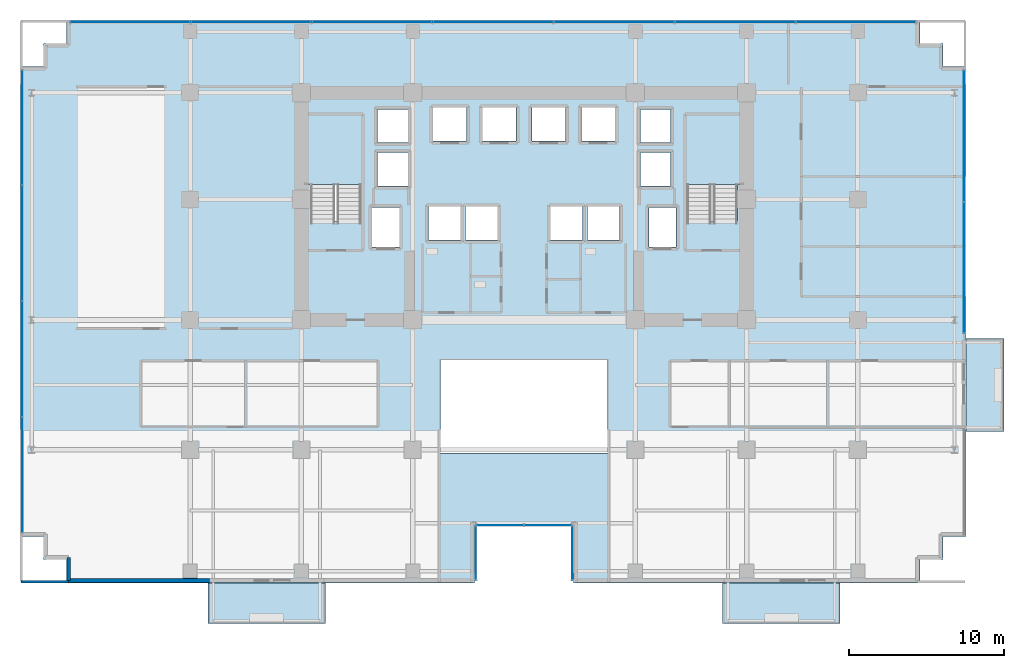
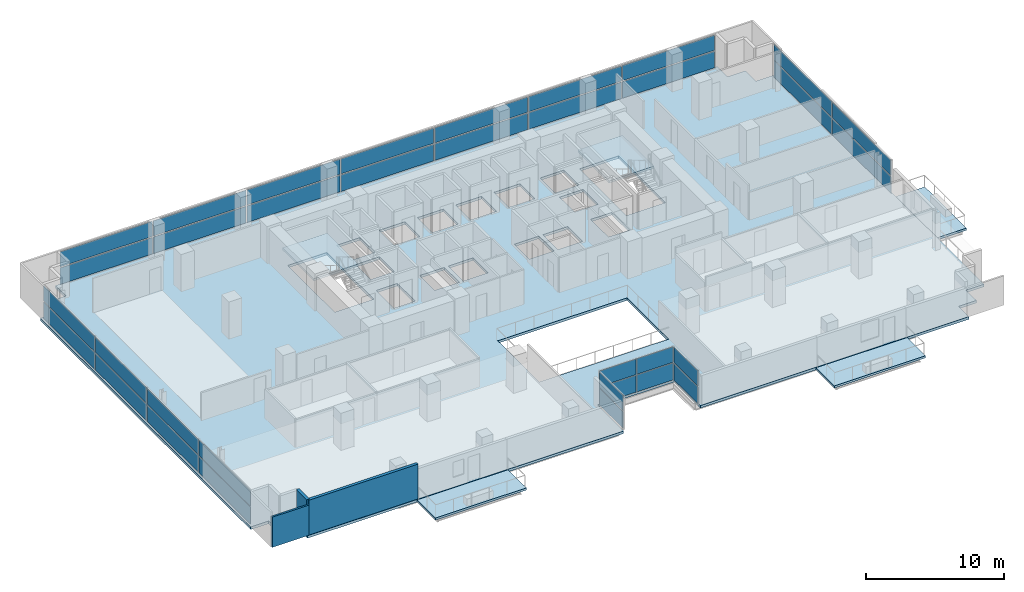
# One storey, part 21 of 30: 34 plates, 6 slabs, 3 walls, 8 elements without a shape of their own.
"""IFC4 building model written with IfcOpenShell, lengths in metres."""

from ifc_helpers import new_model, si_unit, direction, frame, frame_2d, origin, origin_2d, place, context, subcontext, project, spatial, polyline, rectangle, outline, extrude, source, transform, mapped, material, layer, layer_set, type_object, element, aggregate, save


model = new_model("IFC4")

# Units and contexts
model_context = context("Model", 3, precision=1e-05, world=origin(), true_north=direction((0.0, 1.0)))
body_context = subcontext(model_context, "Body", "Model", "MODEL_VIEW")
ifc_project = project(units=[si_unit("LENGTHUNIT", "METRE"), si_unit("AREAUNIT", "SQUARE_METRE"), si_unit("VOLUMEUNIT", "CUBIC_METRE"), si_unit("PLANEANGLEUNIT", "RADIAN"), si_unit("MASSUNIT", "GRAM", prefix="KILO")], contexts=[model_context])

# Site, building, storey
site_placement = place(None, origin())
site = spatial("IfcSite", under=ifc_project, at=site_placement, CompositionType="ELEMENT")
building_placement = place(site_placement, origin())
building = spatial("IfcBuilding", under=site, at=building_placement, Name="Zarnakvel Exchange Tower", CompositionType="ELEMENT")
storey_placement = place(building_placement, frame((0.0, 0.0, 50.5)))
storey = spatial("IfcBuildingStorey", under=building, at=storey_placement, Name="L13", CompositionType="ELEMENT", Elevation=50.5)

# Stair, slab
ifc_material_1 = material(Name="Concrete C40/50", Category="concrete")
stair_type = type_object("IfcStairType", Name="STR-01", PredefinedType="HALF_TURN_STAIR", material=ifc_material_1)
stair_1_placement = place(storey_placement, origin())
stair_1 = element("IfcStair", 1, at=stair_1_placement, inside=storey, type_object=stair_type, Name="L13 Protected Core Exit Stair ST-01", PredefinedType="HALF_TURN_STAIR")
ifc_layer_1 = layer(ifc_material_1, 0.199951171875)
ifc_layer_set_1 = layer_set([ifc_layer_1], Name="Concrete C40/50")
slab_type_1 = type_object("IfcSlabType", Name="LDG-01", PredefinedType="LANDING", material=ifc_layer_set_1)
slab_1_placement = place(storey_placement, frame((0.0, 0.0, 1.449951171875)))
slab_1 = element("IfcSlab", 2, at=slab_1_placement, type_object=slab_type_1, Name="ST-01 landing 1", PredefinedType="LANDING", context=body_context, shape_type="SweptSolid", body=[
    extrude(outline(polyline([(-14.18994140625, 7.570068359375), (-10.4599609375, 7.570068359375), (-10.4599609375, 12.080078125), (-14.18994140625, 12.080078125), (-14.18994140625, 7.570068359375)])), origin(), (0.0, 0.0, 1.0), 0.199951171875),
])
aggregate(stair_1, [slab_1])

stair_2_placement = place(storey_placement, origin())
stair_2 = element("IfcStair", 3, at=stair_2_placement, inside=storey, type_object=stair_type, Name="L13 Protected Core Exit Stair ST-02", PredefinedType="HALF_TURN_STAIR")
slab_2_placement = place(storey_placement, frame((0.0, 0.0, 1.449951171875)))
slab_2 = element("IfcSlab", 4, at=slab_2_placement, type_object=slab_type_1, Name="ST-02 landing 1", PredefinedType="LANDING", context=body_context, shape_type="SweptSolid", body=[
    extrude(outline(polyline([(10.4599609375, 7.570068359375), (14.18994140625, 7.570068359375), (14.18994140625, 12.080078125), (10.4599609375, 12.080078125), (10.4599609375, 7.570068359375)])), origin(), (0.0, 0.0, 1.0), 0.199951171875),
])
aggregate(stair_2, [slab_2])

# Slabs
ifc_layer_2 = layer(ifc_material_1, 0.22509765625)
ifc_layer_set_2 = layer_set([ifc_layer_2], Name="Concrete C40/50")
slab_type_2 = type_object("IfcSlabType", Name="SL-04", PredefinedType="FLOOR", material=ifc_layer_set_2)
slab_3_placement = place(storey_placement, frame((0.0, 0.0, -0.22509765625)))
element("IfcSlab", 5, at=slab_3_placement, inside=storey, type_object=slab_type_2, Name="L13 Primary Structural Floor Slab", PredefinedType="FLOOR", context=body_context, shape_type="SweptSolid", body=[
    extrude(outline(polyline([(-32.60009765625, -15.199951171875), (-31.10009765625, -15.199951171875), (-31.10009765625, -16.699951171875), (-29.60009765625, -16.699951171875), (-29.60009765625, -18.199951171875), (-3.199951171875, -18.199951171875), (-3.199951171875, -14.39990234375), (3.199951171875, -14.39990234375), (3.199951171875, -18.199951171875), (25.60009765625, -18.199951171875), (25.60009765625, -16.699951171875), (27.10009765625, -16.699951171875), (27.10009765625, -15.199951171875), (28.60009765625, -15.199951171875), (28.60009765625, 15.199951171875), (27.10009765625, 15.199951171875), (27.10009765625, 16.699951171875), (25.60009765625, 16.699951171875), (25.60009765625, 18.199951171875), (-29.60009765625, 18.199951171875), (-29.60009765625, 16.699951171875), (-31.10009765625, 16.699951171875), (-31.10009765625, 15.199951171875), (-32.60009765625, 15.199951171875), (-32.60009765625, -15.199951171875)]), holes=[polyline([(-5.39990234375, -9.800048828125), (5.39990234375, -9.800048828125), (5.39990234375, -3.800048828125), (-5.39990234375, -3.800048828125), (-5.39990234375, -9.800048828125)]), polyline([(-13.800048828125, 5.2099609375), (-10.5400390625, 5.2099609375), (-10.5400390625, 12.0), (-13.800048828125, 12.0), (-13.800048828125, 5.2099609375)]), polyline([(10.5400390625, 5.2099609375), (13.800048828125, 5.2099609375), (13.800048828125, 12.0), (10.5400390625, 12.0), (10.5400390625, 5.2099609375)]), polyline([(-9.830078125, 3.52001953125), (-8.070068359375, 3.52001953125), (-8.070068359375, 6.080078125), (-9.830078125, 6.080078125), (-9.830078125, 3.52001953125)]), polyline([(8.070068359375, 3.52001953125), (9.830078125, 3.52001953125), (9.830078125, 6.080078125), (8.070068359375, 6.080078125), (8.070068359375, 3.52001953125)]), polyline([(-5.8798828125, 10.3701171875), (-3.719970703125, 10.3701171875), (-3.719970703125, 12.530029296875), (-5.8798828125, 12.530029296875), (-5.8798828125, 10.3701171875)]), polyline([(-2.679931640625, 10.3701171875), (-0.52001953125, 10.3701171875), (-0.52001953125, 12.530029296875), (-2.679931640625, 12.530029296875), (-2.679931640625, 10.3701171875)]), polyline([(0.52001953125, 10.3701171875), (2.679931640625, 10.3701171875), (2.679931640625, 12.530029296875), (0.52001953125, 12.530029296875), (0.52001953125, 10.3701171875)]), polyline([(3.719970703125, 10.3701171875), (5.8798828125, 10.3701171875), (5.8798828125, 12.530029296875), (3.719970703125, 12.530029296875), (3.719970703125, 10.3701171875)]), polyline([(-6.179931640625, 3.969970703125), (-4.1201171875, 3.969970703125), (-4.1201171875, 6.1298828125), (-6.179931640625, 6.1298828125), (-6.179931640625, 3.969970703125)]), polyline([(-3.780029296875, 3.969970703125), (-1.719970703125, 3.969970703125), (-1.719970703125, 6.1298828125), (-3.780029296875, 6.1298828125), (-3.780029296875, 3.969970703125)]), polyline([(1.719970703125, 3.969970703125), (3.780029296875, 3.969970703125), (3.780029296875, 6.1298828125), (1.719970703125, 6.1298828125), (1.719970703125, 3.969970703125)]), polyline([(4.1201171875, 3.969970703125), (6.179931640625, 3.969970703125), (6.179931640625, 6.1298828125), (4.1201171875, 6.1298828125), (4.1201171875, 3.969970703125)]), polyline([(-9.47998046875, 7.469970703125), (-7.52001953125, 7.469970703125), (-7.52001953125, 9.6298828125), (-9.47998046875, 9.6298828125), (-9.47998046875, 7.469970703125)]), polyline([(-9.47998046875, 10.27001953125), (-7.52001953125, 10.27001953125), (-7.52001953125, 12.429931640625), (-9.47998046875, 12.429931640625), (-9.47998046875, 10.27001953125)]), polyline([(7.52001953125, 7.469970703125), (9.47998046875, 7.469970703125), (9.47998046875, 9.6298828125), (7.52001953125, 9.6298828125), (7.52001953125, 7.469970703125)]), polyline([(7.52001953125, 10.27001953125), (9.47998046875, 10.27001953125), (9.47998046875, 12.429931640625), (7.52001953125, 12.429931640625), (7.52001953125, 10.27001953125)])]), origin(), (0.0, 0.0, 1.0), 0.22509765625),
])
ifc_layer_3 = layer(ifc_material_1, 0.18994140625)
ifc_layer_set_3 = layer_set([ifc_layer_3], Name="Concrete C40/50")
slab_type_3 = type_object("IfcSlabType", Name="SL-08", PredefinedType="USERDEFINED", material=ifc_layer_set_3)
slab_4_placement = place(storey_placement, frame((0.0, 0.0, -0.22509765625)))
element("IfcSlab", 6, at=slab_4_placement, inside=storey, type_object=slab_type_3, Name="L13 Planted Loggia Balcony Slab BAL-L13-SW", ObjectType="BALCONY", PredefinedType="USERDEFINED", context=body_context, shape_type="SweptSolid", body=[
    extrude(outline(polyline([(-20.449951171875, -20.85009765625), (-12.85009765625, -20.85009765625), (-12.85009765625, -18.199951171875), (-20.449951171875, -18.199951171875), (-20.449951171875, -20.85009765625)])), origin(), (0.0, 0.0, 1.0), 0.190185546875),
])
slab_5_placement = place(storey_placement, frame((0.0, 0.0, -0.22509765625)))
element("IfcSlab", 7, at=slab_5_placement, inside=storey, type_object=slab_type_3, Name="L13 Planted Loggia Balcony Slab BAL-L13-SE", ObjectType="BALCONY", PredefinedType="USERDEFINED", context=body_context, shape_type="SweptSolid", body=[
    extrude(outline(polyline([(12.85009765625, -20.85009765625), (20.449951171875, -20.85009765625), (20.449951171875, -18.199951171875), (12.85009765625, -18.199951171875), (12.85009765625, -20.85009765625)])), origin(), (0.0, 0.0, 1.0), 0.190185546875),
])
slab_6_placement = place(storey_placement, frame((0.0, 0.0, -0.22509765625)))
element("IfcSlab", 8, at=slab_6_placement, inside=storey, type_object=slab_type_3, Name="L13 Planted Loggia Balcony Slab BAL-L13-E", ObjectType="BALCONY", PredefinedType="USERDEFINED", context=body_context, shape_type="SweptSolid", body=[
    extrude(outline(polyline([(28.60009765625, -8.39990234375), (31.050048828125, -8.39990234375), (31.050048828125, -2.39990234375), (28.60009765625, -2.39990234375), (28.60009765625, -8.39990234375)])), origin(), (0.0, 0.0, 1.0), 0.190185546875),
])

# Curtain wall, plate
ifc_material_2 = material(Name="Architectural Bronze Anodised Aluminium", Category="aluminium")
ifc_layer_4 = layer(ifc_material_2, 0.179931640625)
ifc_layer_set_4 = layer_set([ifc_layer_4], Name="Architectural Bronze Anodised Aluminium")
curtain_wall_type_1 = type_object("IfcCurtainWallType", Name="CW-05", PredefinedType="NOTDEFINED", material=ifc_layer_set_4)
curtain_wall_1_placement = place(storey_placement, origin())
curtain_wall_1 = element("IfcCurtainWall", 9, at=curtain_wall_1_placement, inside=storey, type_object=curtain_wall_type_1, Name="L13 Curtain Wall CW-L13-SLW (CW-05)", PredefinedType="NOTDEFINED")
ifc_material_3 = material(Name="Double Low-E Laminated Vision Glass", Category="glass")
ifc_layer_5 = layer(ifc_material_3, 0.02587890625)
ifc_layer_set_5 = layer_set([ifc_layer_5], Name="Double Low-E Laminated Vision Glass")
plate_type_1 = type_object("IfcPlateType", Name="CWP-05", PredefinedType="CURTAIN_PANEL", material=ifc_layer_set_5)
shared_shape_1 = source(origin(), body_context, "Body", "SweptSolid", [
    extrude(rectangle(XDim=3.4599609375, YDim=0.02587890625, at=origin_2d()), origin(), (0.0, 0.0, 1.0), 1.483642578125),
])
plate_1_placement = place(storey_placement, frame((-3.1201171875, -16.280029296875, 0.06982421875), z_axis=(0.0, 0.0, 1.0), x_axis=(0.0, 1.0, 0.0)))
plate_1 = element("IfcPlate", 10, at=plate_1_placement, type_object=plate_type_1, Name="CW-05 panel 1.1", PredefinedType="CURTAIN_PANEL", context=body_context, shape_type="MappedRepresentation", body=[
    mapped(shared_shape_1, transform((0.0, 0.0, 0.0), x_axis=(1.0, 0.0, 0.0), y_axis=(0.0, 1.0, 0.0), z_axis=(0.0, 0.0, 1.0), scale=1.0)),
])

curtain_wall_2_placement = place(storey_placement, origin())
curtain_wall_2 = element("IfcCurtainWall", 11, at=curtain_wall_2_placement, inside=storey, type_object=curtain_wall_type_1, Name="L13 Curtain Wall CW-L13-SLE (CW-05)", PredefinedType="NOTDEFINED")
plate_2_placement = place(storey_placement, frame((3.1201171875, -16.280029296875, 0.06982421875), z_axis=(0.0, 0.0, 1.0), x_axis=(0.0, -1.0, 0.0)))
plate_2 = element("IfcPlate", 12, at=plate_2_placement, type_object=plate_type_1, Name="CW-05 panel 1.1", PredefinedType="CURTAIN_PANEL", context=body_context, shape_type="MappedRepresentation", body=[
    mapped(shared_shape_1, transform((0.0, 0.0, 0.0), x_axis=(1.0, 0.0, 0.0), y_axis=(0.0, 1.0, 0.0), z_axis=(0.0, 0.0, 1.0), scale=1.0)),
])

# Plate
shared_shape_2 = source(origin(), body_context, "Body", "SweptSolid", [
    extrude(rectangle(XDim=3.4599609375, YDim=0.02587890625, at=origin_2d()), origin(), (0.0, 0.0, 1.0), 1.361328125),
])
plate_3_placement = place(storey_placement, frame((-3.1201171875, -16.280029296875, 1.62353515625), z_axis=(0.0, 0.0, 1.0), x_axis=(0.0, 1.0, 0.0)))
plate_3 = element("IfcPlate", 13, at=plate_3_placement, type_object=plate_type_1, Name="CW-05 panel 1.2", PredefinedType="CURTAIN_PANEL", context=body_context, shape_type="MappedRepresentation", body=[
    mapped(shared_shape_2, transform((0.0, 0.0, 0.0), x_axis=(1.0, 0.0, 0.0), y_axis=(0.0, 1.0, 0.0), z_axis=(0.0, 0.0, 1.0), scale=1.0)),
])

aggregate(curtain_wall_1, [plate_1, plate_3])

plate_4_placement = place(storey_placement, frame((3.1201171875, -16.280029296875, 1.62353515625), z_axis=(0.0, 0.0, 1.0), x_axis=(0.0, -1.0, 0.0)))
plate_4 = element("IfcPlate", 14, at=plate_4_placement, type_object=plate_type_1, Name="CW-05 panel 1.2", PredefinedType="CURTAIN_PANEL", context=body_context, shape_type="MappedRepresentation", body=[
    mapped(shared_shape_2, transform((0.0, 0.0, 0.0), x_axis=(1.0, 0.0, 0.0), y_axis=(0.0, 1.0, 0.0), z_axis=(0.0, 0.0, 1.0), scale=1.0)),
])

aggregate(curtain_wall_2, [plate_2, plate_4])

# Curtain wall, plates
curtain_wall_3_placement = place(storey_placement, origin())
curtain_wall_3 = element("IfcCurtainWall", 15, at=curtain_wall_3_placement, inside=storey, type_object=curtain_wall_type_1, Name="L13 Curtain Wall CW-L13-SLB (CW-05)", PredefinedType="NOTDEFINED")
shared_shape_3 = source(origin(), body_context, "Body", "SweptSolid", [
    extrude(rectangle(XDim=3.014892578125, YDim=0.02587890625, at=origin_2d()), origin(), (0.0, 0.0, 1.0), 1.483642578125),
])
plate_5_placement = place(storey_placement, frame((-1.54248046875, -14.47998046875, 0.06982421875), z_axis=(0.0, 0.0, 1.0), x_axis=(1.0, 0.0, 0.0)))
plate_5 = element("IfcPlate", 16, at=plate_5_placement, type_object=plate_type_1, Name="CW-05 panel 1.1", PredefinedType="CURTAIN_PANEL", context=body_context, shape_type="MappedRepresentation", body=[
    mapped(shared_shape_3, transform((0.0, 0.0, 0.0), x_axis=(1.0, 0.0, 0.0), y_axis=(0.0, 1.0, 0.0), z_axis=(0.0, 0.0, 1.0), scale=1.0)),
])
plate_6_placement = place(storey_placement, frame((1.54248046875, -14.47998046875, 0.06982421875), z_axis=(0.0, 0.0, 1.0), x_axis=(1.0, 0.0, 0.0)))
plate_6 = element("IfcPlate", 17, at=plate_6_placement, type_object=plate_type_1, Name="CW-05 panel 2.1", PredefinedType="CURTAIN_PANEL", context=body_context, shape_type="MappedRepresentation", body=[
    mapped(shared_shape_3, transform((0.0, 0.0, 0.0), x_axis=(1.0, 0.0, 0.0), y_axis=(0.0, 1.0, 0.0), z_axis=(0.0, 0.0, 1.0), scale=1.0)),
])
shared_shape_4 = source(origin(), body_context, "Body", "SweptSolid", [
    extrude(rectangle(XDim=3.014892578125, YDim=0.02587890625, at=origin_2d()), origin(), (0.0, 0.0, 1.0), 1.361328125),
])
plate_7_placement = place(storey_placement, frame((-1.54248046875, -14.47998046875, 1.62353515625), z_axis=(0.0, 0.0, 1.0), x_axis=(1.0, 0.0, 0.0)))
plate_7 = element("IfcPlate", 18, at=plate_7_placement, type_object=plate_type_1, Name="CW-05 panel 1.2", PredefinedType="CURTAIN_PANEL", context=body_context, shape_type="MappedRepresentation", body=[
    mapped(shared_shape_4, transform((0.0, 0.0, 0.0), x_axis=(1.0, 0.0, 0.0), y_axis=(0.0, 1.0, 0.0), z_axis=(0.0, 0.0, 1.0), scale=1.0)),
])
plate_8_placement = place(storey_placement, frame((1.54248046875, -14.47998046875, 1.62353515625), z_axis=(0.0, 0.0, 1.0), x_axis=(1.0, 0.0, 0.0)))
plate_8 = element("IfcPlate", 19, at=plate_8_placement, type_object=plate_type_1, Name="CW-05 panel 2.2", PredefinedType="CURTAIN_PANEL", context=body_context, shape_type="MappedRepresentation", body=[
    mapped(shared_shape_4, transform((0.0, 0.0, 0.0), x_axis=(1.0, 0.0, 0.0), y_axis=(0.0, 1.0, 0.0), z_axis=(0.0, 0.0, 1.0), scale=1.0)),
])
aggregate(curtain_wall_3, [plate_5, plate_7, plate_6, plate_8])

ifc_layer_6 = layer(ifc_material_2, 0.239990234375)
ifc_layer_set_6 = layer_set([ifc_layer_6], Name="Architectural Bronze Anodised Aluminium")
curtain_wall_type_2 = type_object("IfcCurtainWallType", Name="CW-02", PredefinedType="NOTDEFINED", material=ifc_layer_set_6)
curtain_wall_4_placement = place(storey_placement, origin())
curtain_wall_4 = element("IfcCurtainWall", 20, at=curtain_wall_4_placement, inside=storey, type_object=curtain_wall_type_2, Name="L13 Curtain Wall CW-L13-N1 (CW-02)", PredefinedType="NOTDEFINED")
ifc_layer_7 = layer(ifc_material_3, 0.031982421875)
ifc_layer_set_7 = layer_set([ifc_layer_7], Name="Double Low-E Laminated Vision Glass")
plate_type_2 = type_object("IfcPlateType", Name="CWP-02", PredefinedType="CURTAIN_PANEL", material=ifc_layer_set_7)
shared_shape_5 = source(origin(), body_context, "Body", "SweptSolid", [
    extrude(rectangle(XDim=7.693603515625, YDim=0.031982421875, at=origin_2d()), origin(), (0.0, 0.0, 1.0), 1.461181640625),
])
plate_9_placement = place(storey_placement, frame((-25.463134765625, 18.06005859375, 0.0849609375), z_axis=(0.0, 0.0, 1.0), x_axis=(1.0, 0.0, 0.0)))
plate_9 = element("IfcPlate", 21, at=plate_9_placement, type_object=plate_type_2, Name="CW-02 panel 1.1", PredefinedType="CURTAIN_PANEL", context=body_context, shape_type="MappedRepresentation", body=[
    mapped(shared_shape_5, transform((0.0, 0.0, 0.0), x_axis=(1.0, 0.0, 0.0), y_axis=(0.0, 1.0, 0.0), z_axis=(0.0, 0.0, 1.0), scale=1.0)),
])
plate_10_placement = place(storey_placement, frame((21.463134765625, 18.06005859375, 0.0849609375), z_axis=(0.0, 0.0, 1.0), x_axis=(1.0, 0.0, 0.0)))
plate_10 = element("IfcPlate", 22, at=plate_10_placement, type_object=plate_type_2, Name="CW-02 panel 7.1", PredefinedType="CURTAIN_PANEL", context=body_context, shape_type="MappedRepresentation", body=[
    mapped(shared_shape_5, transform((0.0, 0.0, 0.0), x_axis=(1.0, 0.0, 0.0), y_axis=(0.0, 1.0, 0.0), z_axis=(0.0, 0.0, 1.0), scale=1.0)),
])
shared_shape_6 = source(origin(), body_context, "Body", "SweptSolid", [
    extrude(rectangle(XDim=7.693603515625, YDim=0.031982421875, at=origin_2d()), origin(), (0.0, 0.0, 1.0), 1.3388671875),
])
plate_11_placement = place(storey_placement, frame((-25.463134765625, 18.06005859375, 1.631103515625), z_axis=(0.0, 0.0, 1.0), x_axis=(1.0, 0.0, 0.0)))
plate_11 = element("IfcPlate", 23, at=plate_11_placement, type_object=plate_type_2, Name="CW-02 panel 1.2", PredefinedType="CURTAIN_PANEL", context=body_context, shape_type="MappedRepresentation", body=[
    mapped(shared_shape_6, transform((0.0, 0.0, 0.0), x_axis=(1.0, 0.0, 0.0), y_axis=(0.0, 1.0, 0.0), z_axis=(0.0, 0.0, 1.0), scale=1.0)),
])
plate_12_placement = place(storey_placement, frame((21.463134765625, 18.06005859375, 1.631103515625), z_axis=(0.0, 0.0, 1.0), x_axis=(1.0, 0.0, 0.0)))
plate_12 = element("IfcPlate", 24, at=plate_12_placement, type_object=plate_type_2, Name="CW-02 panel 7.2", PredefinedType="CURTAIN_PANEL", context=body_context, shape_type="MappedRepresentation", body=[
    mapped(shared_shape_6, transform((0.0, 0.0, 0.0), x_axis=(1.0, 0.0, 0.0), y_axis=(0.0, 1.0, 0.0), z_axis=(0.0, 0.0, 1.0), scale=1.0)),
])
shared_shape_7 = source(origin(), body_context, "Body", "SweptSolid", [
    extrude(rectangle(XDim=7.738525390625, YDim=0.031982421875, at=origin_2d()), origin(), (0.0, 0.0, 1.0), 1.461181640625),
])
plate_13_placement = place(storey_placement, frame((-17.6572265625, 18.06005859375, 0.0849609375), z_axis=(0.0, 0.0, 1.0), x_axis=(1.0, 0.0, 0.0)))
plate_13 = element("IfcPlate", 25, at=plate_13_placement, type_object=plate_type_2, Name="CW-02 panel 2.1", PredefinedType="CURTAIN_PANEL", context=body_context, shape_type="MappedRepresentation", body=[
    mapped(shared_shape_7, transform((0.0, 0.0, 0.0), x_axis=(1.0, 0.0, 0.0), y_axis=(0.0, 1.0, 0.0), z_axis=(0.0, 0.0, 1.0), scale=1.0)),
])
plate_14_placement = place(storey_placement, frame((-9.82861328125, 18.06005859375, 0.0849609375), z_axis=(0.0, 0.0, 1.0), x_axis=(1.0, 0.0, 0.0)))
plate_14 = element("IfcPlate", 26, at=plate_14_placement, type_object=plate_type_2, Name="CW-02 panel 3.1", PredefinedType="CURTAIN_PANEL", context=body_context, shape_type="MappedRepresentation", body=[
    mapped(shared_shape_7, transform((0.0, 0.0, 0.0), x_axis=(1.0, 0.0, 0.0), y_axis=(0.0, 1.0, 0.0), z_axis=(0.0, 0.0, 1.0), scale=1.0)),
])
plate_15_placement = place(storey_placement, frame((-2.0, 18.06005859375, 0.0849609375), z_axis=(0.0, 0.0, 1.0), x_axis=(1.0, 0.0, 0.0)))
plate_15 = element("IfcPlate", 27, at=plate_15_placement, type_object=plate_type_2, Name="CW-02 panel 4.1", PredefinedType="CURTAIN_PANEL", context=body_context, shape_type="MappedRepresentation", body=[
    mapped(shared_shape_7, transform((0.0, 0.0, 0.0), x_axis=(1.0, 0.0, 0.0), y_axis=(0.0, 1.0, 0.0), z_axis=(0.0, 0.0, 1.0), scale=1.0)),
])
plate_16_placement = place(storey_placement, frame((5.82861328125, 18.06005859375, 0.0849609375), z_axis=(0.0, 0.0, 1.0), x_axis=(1.0, 0.0, 0.0)))
plate_16 = element("IfcPlate", 28, at=plate_16_placement, type_object=plate_type_2, Name="CW-02 panel 5.1", PredefinedType="CURTAIN_PANEL", context=body_context, shape_type="MappedRepresentation", body=[
    mapped(shared_shape_7, transform((0.0, 0.0, 0.0), x_axis=(1.0, 0.0, 0.0), y_axis=(0.0, 1.0, 0.0), z_axis=(0.0, 0.0, 1.0), scale=1.0)),
])
plate_17_placement = place(storey_placement, frame((13.6572265625, 18.06005859375, 0.0849609375), z_axis=(0.0, 0.0, 1.0), x_axis=(1.0, 0.0, 0.0)))
plate_17 = element("IfcPlate", 29, at=plate_17_placement, type_object=plate_type_2, Name="CW-02 panel 6.1", PredefinedType="CURTAIN_PANEL", context=body_context, shape_type="MappedRepresentation", body=[
    mapped(shared_shape_7, transform((0.0, 0.0, 0.0), x_axis=(1.0, 0.0, 0.0), y_axis=(0.0, 1.0, 0.0), z_axis=(0.0, 0.0, 1.0), scale=1.0)),
])
shared_shape_8 = source(origin(), body_context, "Body", "SweptSolid", [
    extrude(rectangle(XDim=7.738525390625, YDim=0.031982421875, at=origin_2d()), origin(), (0.0, 0.0, 1.0), 1.3388671875),
])
plate_18_placement = place(storey_placement, frame((-17.6572265625, 18.06005859375, 1.631103515625), z_axis=(0.0, 0.0, 1.0), x_axis=(1.0, 0.0, 0.0)))
plate_18 = element("IfcPlate", 30, at=plate_18_placement, type_object=plate_type_2, Name="CW-02 panel 2.2", PredefinedType="CURTAIN_PANEL", context=body_context, shape_type="MappedRepresentation", body=[
    mapped(shared_shape_8, transform((0.0, 0.0, 0.0), x_axis=(1.0, 0.0, 0.0), y_axis=(0.0, 1.0, 0.0), z_axis=(0.0, 0.0, 1.0), scale=1.0)),
])
plate_19_placement = place(storey_placement, frame((-9.82861328125, 18.06005859375, 1.631103515625), z_axis=(0.0, 0.0, 1.0), x_axis=(1.0, 0.0, 0.0)))
plate_19 = element("IfcPlate", 31, at=plate_19_placement, type_object=plate_type_2, Name="CW-02 panel 3.2", PredefinedType="CURTAIN_PANEL", context=body_context, shape_type="MappedRepresentation", body=[
    mapped(shared_shape_8, transform((0.0, 0.0, 0.0), x_axis=(1.0, 0.0, 0.0), y_axis=(0.0, 1.0, 0.0), z_axis=(0.0, 0.0, 1.0), scale=1.0)),
])
plate_20_placement = place(storey_placement, frame((-2.0, 18.06005859375, 1.631103515625), z_axis=(0.0, 0.0, 1.0), x_axis=(1.0, 0.0, 0.0)))
plate_20 = element("IfcPlate", 32, at=plate_20_placement, type_object=plate_type_2, Name="CW-02 panel 4.2", PredefinedType="CURTAIN_PANEL", context=body_context, shape_type="MappedRepresentation", body=[
    mapped(shared_shape_8, transform((0.0, 0.0, 0.0), x_axis=(1.0, 0.0, 0.0), y_axis=(0.0, 1.0, 0.0), z_axis=(0.0, 0.0, 1.0), scale=1.0)),
])
plate_21_placement = place(storey_placement, frame((5.82861328125, 18.06005859375, 1.631103515625), z_axis=(0.0, 0.0, 1.0), x_axis=(1.0, 0.0, 0.0)))
plate_21 = element("IfcPlate", 33, at=plate_21_placement, type_object=plate_type_2, Name="CW-02 panel 5.2", PredefinedType="CURTAIN_PANEL", context=body_context, shape_type="MappedRepresentation", body=[
    mapped(shared_shape_8, transform((0.0, 0.0, 0.0), x_axis=(1.0, 0.0, 0.0), y_axis=(0.0, 1.0, 0.0), z_axis=(0.0, 0.0, 1.0), scale=1.0)),
])
plate_22_placement = place(storey_placement, frame((13.6572265625, 18.06005859375, 1.631103515625), z_axis=(0.0, 0.0, 1.0), x_axis=(1.0, 0.0, 0.0)))
plate_22 = element("IfcPlate", 34, at=plate_22_placement, type_object=plate_type_2, Name="CW-02 panel 6.2", PredefinedType="CURTAIN_PANEL", context=body_context, shape_type="MappedRepresentation", body=[
    mapped(shared_shape_8, transform((0.0, 0.0, 0.0), x_axis=(1.0, 0.0, 0.0), y_axis=(0.0, 1.0, 0.0), z_axis=(0.0, 0.0, 1.0), scale=1.0)),
])
aggregate(curtain_wall_4, [plate_9, plate_11, plate_13, plate_18, plate_14, plate_19, plate_15, plate_20, plate_16, plate_21, plate_17, plate_22, plate_10, plate_12])

ifc_layer_8 = layer(ifc_material_2, 0.199951171875)
ifc_layer_set_8 = layer_set([ifc_layer_8], Name="Architectural Bronze Anodised Aluminium")
curtain_wall_type_3 = type_object("IfcCurtainWallType", Name="CW-04", PredefinedType="NOTDEFINED", material=ifc_layer_set_8)
curtain_wall_5_placement = place(storey_placement, origin())
curtain_wall_5 = element("IfcCurtainWall", 35, at=curtain_wall_5_placement, inside=storey, type_object=curtain_wall_type_3, Name="L13 Curtain Wall CW-L13-EN (CW-04)", PredefinedType="NOTDEFINED")
ifc_layer_9 = layer(ifc_material_3, 0.028076171875)
ifc_layer_set_9 = layer_set([ifc_layer_9], Name="Double Low-E Laminated Vision Glass")
plate_type_3 = type_object("IfcPlateType", Name="CWP-04", PredefinedType="CURTAIN_PANEL", material=ifc_layer_set_9)
shared_shape_9 = source(origin(), body_context, "Body", "SweptSolid", [
    extrude(rectangle(XDim=8.4375, YDim=0.028076171875, at=origin_2d()), origin(), (0.0, 0.0, 1.0), 1.47607421875),
])
plate_23_placement = place(storey_placement, frame((28.4599609375, 2.19384765625, 0.074951171875), z_axis=(0.0, 0.0, 1.0), x_axis=(0.0, 1.0, 0.0)))
plate_23 = element("IfcPlate", 36, at=plate_23_placement, type_object=plate_type_3, Name="CW-04 panel 1.1", PredefinedType="CURTAIN_PANEL", context=body_context, shape_type="MappedRepresentation", body=[
    mapped(shared_shape_9, transform((0.0, 0.0, 0.0), x_axis=(1.0, 0.0, 0.0), y_axis=(0.0, 1.0, 0.0), z_axis=(0.0, 0.0, 1.0), scale=1.0)),
])
plate_24_placement = place(storey_placement, frame((28.4599609375, 10.706298828125, 0.074951171875), z_axis=(0.0, 0.0, 1.0), x_axis=(0.0, 1.0, 0.0)))
plate_24 = element("IfcPlate", 37, at=plate_24_placement, type_object=plate_type_3, Name="CW-04 panel 2.1", PredefinedType="CURTAIN_PANEL", context=body_context, shape_type="MappedRepresentation", body=[
    mapped(shared_shape_9, transform((0.0, 0.0, 0.0), x_axis=(1.0, 0.0, 0.0), y_axis=(0.0, 1.0, 0.0), z_axis=(0.0, 0.0, 1.0), scale=1.0)),
])
shared_shape_10 = source(origin(), body_context, "Body", "SweptSolid", [
    extrude(rectangle(XDim=8.4375, YDim=0.028076171875, at=origin_2d()), origin(), (0.0, 0.0, 1.0), 1.35400390625),
])
plate_25_placement = place(storey_placement, frame((28.4599609375, 2.19384765625, 1.6259765625), z_axis=(0.0, 0.0, 1.0), x_axis=(0.0, 1.0, 0.0)))
plate_25 = element("IfcPlate", 38, at=plate_25_placement, type_object=plate_type_3, Name="CW-04 panel 1.2", PredefinedType="CURTAIN_PANEL", context=body_context, shape_type="MappedRepresentation", body=[
    mapped(shared_shape_10, transform((0.0, 0.0, 0.0), x_axis=(1.0, 0.0, 0.0), y_axis=(0.0, 1.0, 0.0), z_axis=(0.0, 0.0, 1.0), scale=1.0)),
])
plate_26_placement = place(storey_placement, frame((28.4599609375, 10.706298828125, 1.6259765625), z_axis=(0.0, 0.0, 1.0), x_axis=(0.0, 1.0, 0.0)))
plate_26 = element("IfcPlate", 39, at=plate_26_placement, type_object=plate_type_3, Name="CW-04 panel 2.2", PredefinedType="CURTAIN_PANEL", context=body_context, shape_type="MappedRepresentation", body=[
    mapped(shared_shape_10, transform((0.0, 0.0, 0.0), x_axis=(1.0, 0.0, 0.0), y_axis=(0.0, 1.0, 0.0), z_axis=(0.0, 0.0, 1.0), scale=1.0)),
])
aggregate(curtain_wall_5, [plate_23, plate_25, plate_24, plate_26])

curtain_wall_6_placement = place(storey_placement, origin())
curtain_wall_6 = element("IfcCurtainWall", 40, at=curtain_wall_6_placement, inside=storey, type_object=curtain_wall_type_3, Name="L13 Curtain Wall CW-L13-W1 (CW-04)", PredefinedType="NOTDEFINED")
shared_shape_11 = source(origin(), body_context, "Body", "SweptSolid", [
    extrude(rectangle(XDim=7.387451171875, YDim=0.028076171875, at=origin_2d()), origin(), (0.0, 0.0, 1.0), 1.47607421875),
])
plate_27_placement = place(storey_placement, frame((-32.4599609375, -11.231201171875, 0.074951171875), z_axis=(0.0, 0.0, 1.0), x_axis=(0.0, 1.0, 0.0)))
plate_27 = element("IfcPlate", 41, at=plate_27_placement, type_object=plate_type_3, Name="CW-04 panel 1.1", PredefinedType="CURTAIN_PANEL", context=body_context, shape_type="MappedRepresentation", body=[
    mapped(shared_shape_11, transform((0.0, 0.0, 0.0), x_axis=(1.0, 0.0, 0.0), y_axis=(0.0, 1.0, 0.0), z_axis=(0.0, 0.0, 1.0), scale=1.0)),
])
plate_28_placement = place(storey_placement, frame((-32.4599609375, 11.231201171875, 0.074951171875), z_axis=(0.0, 0.0, 1.0), x_axis=(0.0, 1.0, 0.0)))
plate_28 = element("IfcPlate", 42, at=plate_28_placement, type_object=plate_type_3, Name="CW-04 panel 4.1", PredefinedType="CURTAIN_PANEL", context=body_context, shape_type="MappedRepresentation", body=[
    mapped(shared_shape_11, transform((0.0, 0.0, 0.0), x_axis=(1.0, 0.0, 0.0), y_axis=(0.0, 1.0, 0.0), z_axis=(0.0, 0.0, 1.0), scale=1.0)),
])
shared_shape_12 = source(origin(), body_context, "Body", "SweptSolid", [
    extrude(rectangle(XDim=7.387451171875, YDim=0.028076171875, at=origin_2d()), origin(), (0.0, 0.0, 1.0), 1.35400390625),
])
plate_29_placement = place(storey_placement, frame((-32.4599609375, -11.231201171875, 1.6259765625), z_axis=(0.0, 0.0, 1.0), x_axis=(0.0, 1.0, 0.0)))
plate_29 = element("IfcPlate", 43, at=plate_29_placement, type_object=plate_type_3, Name="CW-04 panel 1.2", PredefinedType="CURTAIN_PANEL", context=body_context, shape_type="MappedRepresentation", body=[
    mapped(shared_shape_12, transform((0.0, 0.0, 0.0), x_axis=(1.0, 0.0, 0.0), y_axis=(0.0, 1.0, 0.0), z_axis=(0.0, 0.0, 1.0), scale=1.0)),
])
plate_30_placement = place(storey_placement, frame((-32.4599609375, 11.231201171875, 1.6259765625), z_axis=(0.0, 0.0, 1.0), x_axis=(0.0, 1.0, 0.0)))
plate_30 = element("IfcPlate", 44, at=plate_30_placement, type_object=plate_type_3, Name="CW-04 panel 4.2", PredefinedType="CURTAIN_PANEL", context=body_context, shape_type="MappedRepresentation", body=[
    mapped(shared_shape_12, transform((0.0, 0.0, 0.0), x_axis=(1.0, 0.0, 0.0), y_axis=(0.0, 1.0, 0.0), z_axis=(0.0, 0.0, 1.0), scale=1.0)),
])
shared_shape_13 = source(origin(), body_context, "Body", "SweptSolid", [
    extrude(rectangle(XDim=7.425048828125, YDim=0.028076171875, at=origin_2d()), origin(), (0.0, 0.0, 1.0), 1.47607421875),
])
plate_31_placement = place(storey_placement, frame((-32.4599609375, -3.75, 0.074951171875), z_axis=(0.0, 0.0, 1.0), x_axis=(0.0, 1.0, 0.0)))
plate_31 = element("IfcPlate", 45, at=plate_31_placement, type_object=plate_type_3, Name="CW-04 panel 2.1", PredefinedType="CURTAIN_PANEL", context=body_context, shape_type="MappedRepresentation", body=[
    mapped(shared_shape_13, transform((0.0, 0.0, 0.0), x_axis=(1.0, 0.0, 0.0), y_axis=(0.0, 1.0, 0.0), z_axis=(0.0, 0.0, 1.0), scale=1.0)),
])
plate_32_placement = place(storey_placement, frame((-32.4599609375, 3.75, 0.074951171875), z_axis=(0.0, 0.0, 1.0), x_axis=(0.0, 1.0, 0.0)))
plate_32 = element("IfcPlate", 46, at=plate_32_placement, type_object=plate_type_3, Name="CW-04 panel 3.1", PredefinedType="CURTAIN_PANEL", context=body_context, shape_type="MappedRepresentation", body=[
    mapped(shared_shape_13, transform((0.0, 0.0, 0.0), x_axis=(1.0, 0.0, 0.0), y_axis=(0.0, 1.0, 0.0), z_axis=(0.0, 0.0, 1.0), scale=1.0)),
])
shared_shape_14 = source(origin(), body_context, "Body", "SweptSolid", [
    extrude(rectangle(XDim=7.425048828125, YDim=0.028076171875, at=origin_2d()), origin(), (0.0, 0.0, 1.0), 1.35400390625),
])
plate_33_placement = place(storey_placement, frame((-32.4599609375, -3.75, 1.6259765625), z_axis=(0.0, 0.0, 1.0), x_axis=(0.0, 1.0, 0.0)))
plate_33 = element("IfcPlate", 47, at=plate_33_placement, type_object=plate_type_3, Name="CW-04 panel 2.2", PredefinedType="CURTAIN_PANEL", context=body_context, shape_type="MappedRepresentation", body=[
    mapped(shared_shape_14, transform((0.0, 0.0, 0.0), x_axis=(1.0, 0.0, 0.0), y_axis=(0.0, 1.0, 0.0), z_axis=(0.0, 0.0, 1.0), scale=1.0)),
])
plate_34_placement = place(storey_placement, frame((-32.4599609375, 3.75, 1.6259765625), z_axis=(0.0, 0.0, 1.0), x_axis=(0.0, 1.0, 0.0)))
plate_34 = element("IfcPlate", 48, at=plate_34_placement, type_object=plate_type_3, Name="CW-04 panel 3.2", PredefinedType="CURTAIN_PANEL", context=body_context, shape_type="MappedRepresentation", body=[
    mapped(shared_shape_14, transform((0.0, 0.0, 0.0), x_axis=(1.0, 0.0, 0.0), y_axis=(0.0, 1.0, 0.0), z_axis=(0.0, 0.0, 1.0), scale=1.0)),
])
aggregate(curtain_wall_6, [plate_27, plate_29, plate_31, plate_33, plate_32, plate_34, plate_28, plate_30])

# Walls
ifc_material_4 = material(Name="Precast concrete C40/50", Category="concrete")
ifc_layer_10 = layer(ifc_material_4, 0.239990234375)
ifc_layer_set_10 = layer_set([ifc_layer_10], Name="Precast concrete C40/50")
wall_type_1 = type_object("IfcWallType", Name="EW-02", PredefinedType="SOLIDWALL", material=ifc_layer_set_10)
wall_1_placement = place(storey_placement, frame((-29.4599609375, -18.06005859375, 0.0), z_axis=(0.0, 0.0, 1.0), x_axis=(1.0, 0.0, 0.0)))
element("IfcWall", 49, at=wall_1_placement, inside=storey, type_object=wall_type_1, Name="L13 Exterior Precast Spandrel Wall EWC-L13-22 (EW-02)", PredefinedType="SOLIDWALL", context=body_context, shape_type="SweptSolid", body=[
    extrude(rectangle(XDim=9.10986328125, YDim=0.239990234375, at=frame_2d((4.554931640625, 0.0))), origin(), (0.0, 0.0, 1.0), 3.074951171875),
])
wall_2_placement = place(storey_placement, frame((-29.4599609375, -16.56005859375, 0.0), z_axis=(0.0, 0.0, 1.0), x_axis=(0.0, -1.0, 0.0)))
element("IfcWall", 50, at=wall_2_placement, inside=storey, type_object=wall_type_1, Name="L13 Exterior Precast Spandrel Wall EWC-L13-23 (EW-02)", PredefinedType="SOLIDWALL", context=body_context, shape_type="SweptSolid", body=[
    extrude(rectangle(XDim=1.5, YDim=0.239990234375, at=frame_2d((0.75, 0.0))), origin(), (0.0, 0.0, 1.0), 3.074951171875),
])
ifc_material_5 = material(Name="Fire-Rated Gypsum Stud Partition", Category="gypsum")
ifc_layer_11 = layer(ifc_material_5, 0.14990234375)
ifc_layer_set_11 = layer_set([ifc_layer_11], Name="Fire-Rated Gypsum Stud Partition")
wall_type_2 = type_object("IfcWallType", Name="PT-01", PredefinedType="PARTITIONING", material=ifc_layer_set_11)
wall_3_placement = place(storey_placement, frame((-29.4599609375, -18.1298828125, 0.0), z_axis=(0.0, 0.0, 1.0), x_axis=(-1.0, 0.0, 0.0)))
element("IfcWall", 51, at=wall_3_placement, inside=storey, type_object=wall_type_2, Name="L13 Partition Wall PWALL-L13-033 (PT-01)", PredefinedType="PARTITIONING", context=body_context, shape_type="SweptSolid", body=[
    extrude(rectangle(XDim=3.070068359375, YDim=0.14990234375, at=frame_2d((1.53515625, 0.0))), origin(), (0.0, 0.0, 1.0), 2.6650390625),
])

save(model, "model.ifc")
